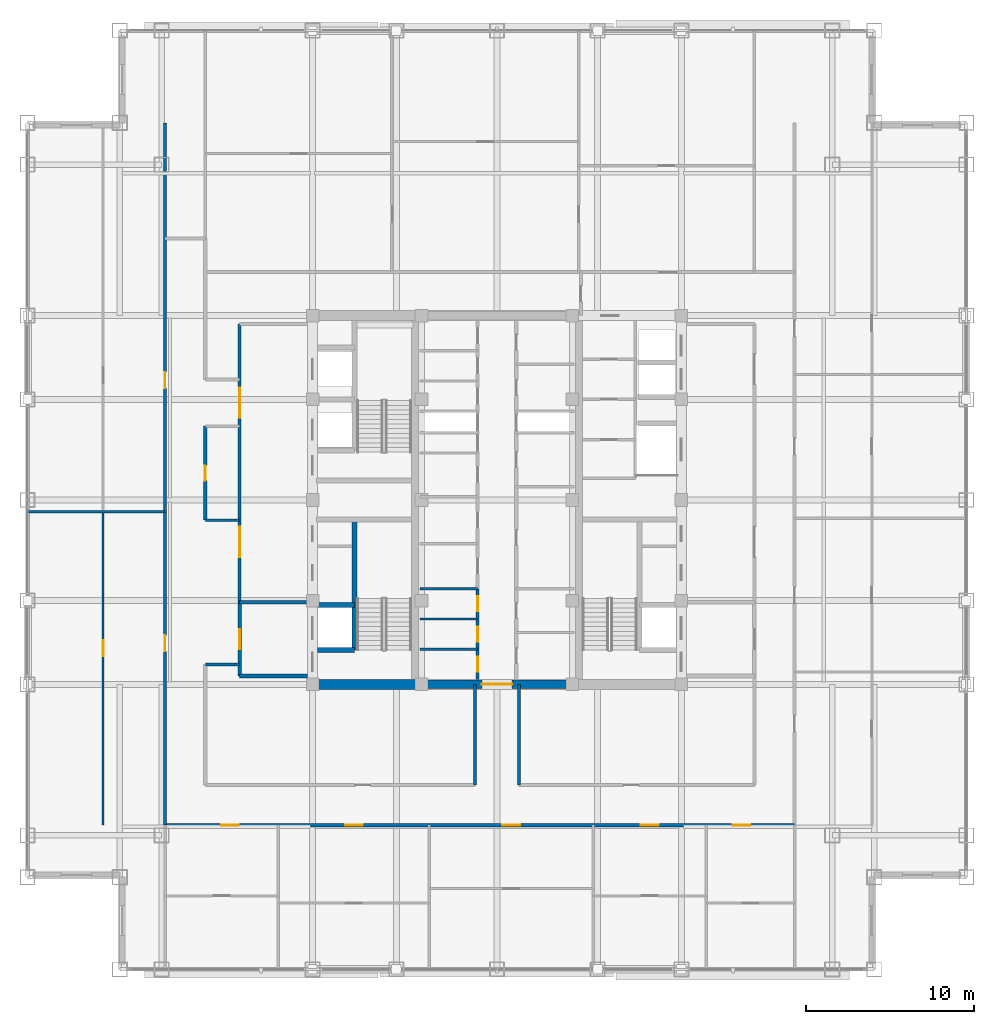
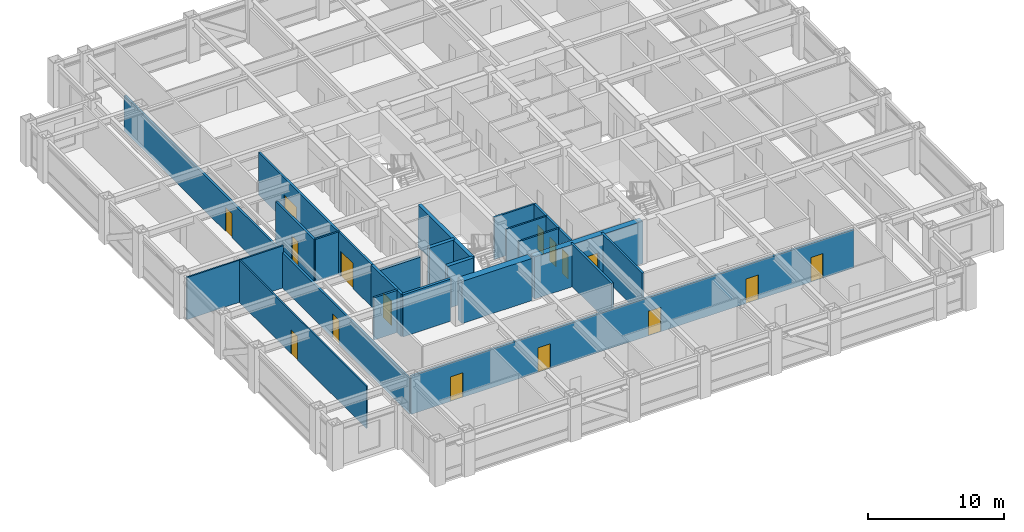
# One storey, part 18 of 27: 22 walls, 16 doors, 16 openings.
"""IFC4 building model written with IfcOpenShell, lengths in metres."""

from ifc_helpers import new_model, si_unit, direction, frame, frame_2d, origin, place, context, subcontext, project, spatial, rectangle, extrude, source, transform, mapped, material, layer, layer_set, type_object, element, fill, save


model = new_model("IFC4")

# Units and contexts
model_context = context("Model", 3, precision=1e-05, world=origin(), true_north=direction((0.0, 1.0)))
body_context = subcontext(model_context, "Body", "Model", "MODEL_VIEW")
ifc_project = project(units=[si_unit("LENGTHUNIT", "METRE"), si_unit("AREAUNIT", "SQUARE_METRE"), si_unit("VOLUMEUNIT", "CUBIC_METRE"), si_unit("PLANEANGLEUNIT", "RADIAN"), si_unit("MASSUNIT", "GRAM", prefix="KILO")], contexts=[model_context])

# Site, building, storey
site_placement = place(None, origin())
site = spatial("IfcSite", under=ifc_project, at=site_placement, CompositionType="ELEMENT")
building_placement = place(site_placement, origin())
building = spatial("IfcBuilding", under=site, at=building_placement, Name="Khorayat Bourse Tower", CompositionType="ELEMENT")
storey_placement = place(building_placement, frame((0.0, 0.0, 285.5)))
storey = spatial("IfcBuildingStorey", under=building, at=storey_placement, Name="L67", CompositionType="ELEMENT", Elevation=285.5)

# Wall
ifc_material_1 = material(Name="Concrete C60/75", Category="concrete")
ifc_layer_1 = layer(ifc_material_1, 0.60009765625)
ifc_layer_set_1 = layer_set([ifc_layer_1], Name="Concrete C60/75")
wall_type_1 = type_object("IfcWallType", Name="WAL-CORE-600", PredefinedType="SHEAR", material=ifc_layer_set_1)
shared_shape_1 = source(origin(), body_context, "Body", "SweptSolid", [
    extrude(rectangle(XDim=5.89990234375, YDim=0.60009765625, at=frame_2d((2.949951171875, 0.0))), origin(), (0.0, 0.0, 1.0), 3.780029296875),
])
wall_1_placement = place(storey_placement, frame((-10.75, -11.0, 0.0), z_axis=(0.0, 0.0, 1.0), x_axis=(1.0, 0.0, 0.0)))
element("IfcWall", 1, at=wall_1_placement, inside=storey, type_object=wall_type_1, Name="L67 Core Shear Wall PIER-WS", PredefinedType="SHEAR", context=body_context, shape_type="MappedRepresentation", body=[
    mapped(shared_shape_1, transform((0.0, 0.0, 0.0), scale=1.0)),
])

# Wall, opening, door
ifc_material_2 = material(Name="Concrete C52/65", Category="concrete")
ifc_layer_2 = layer(ifc_material_2, 0.5)
ifc_layer_set_2 = layer_set([ifc_layer_2], Name="Concrete C52/65")
wall_type_2 = type_object("IfcWallType", Name="WAL-CORE-500", PredefinedType="SHEAR", material=ifc_layer_set_2)
shared_shape_2 = source(origin(), body_context, "Body", "SweptSolid", [
    extrude(rectangle(XDim=9.2001953125, YDim=0.5, at=frame_2d((4.60009765625, 0.0))), origin(), (0.0, 0.0, 1.0), 3.780029296875),
])
wall_2_placement = place(storey_placement, frame((-4.60009765625, -11.0, 0.0), z_axis=(0.0, 0.0, 1.0), x_axis=(1.0, 0.0, 0.0)))
wall_2 = element("IfcWall", 2, at=wall_2_placement, inside=storey, type_object=wall_type_2, Name="L67 Core Shear Wall CORE-S", PredefinedType="SHEAR", context=body_context, shape_type="MappedRepresentation", body=[
    mapped(shared_shape_2, transform((0.0, 0.0, 0.0), scale=1.0)),
])
shared_shape_3 = source(origin(), body_context, "Body", "SweptSolid", [
    extrude(rectangle(XDim=1.800048828125, YDim=2.25, at=frame_2d((0.89990234375, 1.125))), frame((0.0, 0.260009765625, 0.0), z_axis=(0.0, -1.0, 0.0), x_axis=(1.0, 0.0, 0.0)), (0.0, 0.0, 1.0), 0.52001953125),
])
opening_1_placement = place(wall_2_placement, frame((3.699951171875, 0.0, 0.0)))
opening_1 = element("IfcOpeningElement", 3, at=opening_1_placement, cuts=wall_2, Name="Opening DI-03", PredefinedType="OPENING", context=body_context, shape_type="MappedRepresentation", body=[
    mapped(shared_shape_3, transform((0.0, 0.0, 0.0), scale=1.0)),
])
ifc_material_3 = material(Name="Fire-rated hardwood vision-panel double leaf", Category="wood")
door_type_1 = type_object("IfcDoorType", Name="DR-INT-CORR-1800", OperationType="NOTDEFINED", PredefinedType="DOOR", material=ifc_material_3)
shared_shape_4 = source(origin(), body_context, "Body", "SweptSolid", [
    extrude(rectangle(XDim=1.800048828125, YDim=2.25, at=frame_2d((0.89990234375, 1.125))), frame((0.0, 0.02490234375, 0.0), z_axis=(0.0, -1.0, 0.0), x_axis=(1.0, 0.0, 0.0)), (0.0, 0.0, 1.0), 0.050048828125),
])
door_1_placement = place(opening_1_placement, origin())
door_1 = element("IfcDoor", 4, at=door_1_placement, inside=storey, type_object=door_type_1, Name="L67 Central Core South Passage Door", OperationType="SINGLE_SWING_LEFT", OverallHeight=2.25, OverallWidth=1.800048828125, PredefinedType="DOOR", context=body_context, shape_type="MappedRepresentation", body=[
    mapped(shared_shape_4, transform((0.0, 0.0, 0.0), scale=1.0)),
])
fill(opening_1, door_1)

# Walls
ifc_material_4 = material(Name="Aerated concrete blockwork", Category="masonry")
ifc_layer_3 = layer(ifc_material_4, 0.219970703125)
ifc_layer_set_3 = layer_set([ifc_layer_3], Name="Aerated concrete blockwork")
wall_type_3 = type_object("IfcWallType", Name="WAL-PART-FF-220", PredefinedType="PARTITIONING", material=ifc_layer_set_3)
shared_shape_5 = source(origin(), body_context, "Body", "SweptSolid", [
    extrude(rectangle(XDim=4.050048828125, YDim=0.219970703125, at=frame_2d((2.02490234375, 0.0))), origin(), (0.0, 0.0, 1.0), 3.0849609375),
])
wall_3_placement = place(storey_placement, frame((-15.35009765625, -6.10009765625, 0.0), z_axis=(0.0, 0.0, 1.0), x_axis=(1.0, 0.0, 0.0)))
element("IfcWall", 5, at=wall_3_placement, inside=storey, type_object=wall_type_3, Name="L67 Partition WAL-L67-FFLW-N", PredefinedType="PARTITIONING", context=body_context, shape_type="MappedRepresentation", body=[
    mapped(shared_shape_5, transform((0.0, 0.0, 0.0), scale=1.0)),
])
ifc_material_5 = material(Name="Concrete C50/60", Category="concrete")
ifc_layer_4 = layer(ifc_material_5, 0.300048828125)
ifc_layer_set_4 = layer_set([ifc_layer_4], Name="Concrete C50/60")
wall_type_4 = type_object("IfcWallType", Name="WAL-SHAFT-300", PredefinedType="SHEAR", material=ifc_layer_set_4)
shared_shape_6 = source(origin(), body_context, "Body", "SweptSolid", [
    extrude(rectangle(XDim=7.800048828125, YDim=0.300048828125, at=frame_2d((3.89990234375, 0.0))), origin(), (0.0, 0.0, 1.0), 3.780029296875),
])
wall_4_placement = place(storey_placement, frame((-8.5, -8.949951171875, 0.0), z_axis=(0.0, 0.0, 1.0), x_axis=(0.0, 1.0, 0.0)))
element("IfcWall", 6, at=wall_4_placement, inside=storey, type_object=wall_type_4, Name="L67 Partition WAL-L67-WPIER-SP", PredefinedType="SHEAR", context=body_context, shape_type="MappedRepresentation", body=[
    mapped(shared_shape_6, transform((0.0, 0.0, 0.0), scale=1.0)),
])
shared_shape_7 = source(origin(), body_context, "Body", "SweptSolid", [
    extrude(rectangle(XDim=2.199951171875, YDim=0.300048828125, at=frame_2d((1.10009765625, 0.0))), origin(), (0.0, 0.0, 1.0), 3.780029296875),
])
for number, where, z_axis, x_axis, name in (
    (7, (-10.699951171875, -8.949951171875, 0.0), (0.0, 0.0, 1.0), (1.0, 0.0, 0.0), "L67 Partition WAL-L67-WPIER-FF1S"),
    (8, (-10.699951171875, -6.25, 0.0), (0.0, 0.0, 1.0), (1.0, 0.0, 0.0), "L67 Partition WAL-L67-WPIER-FF1N"),
):
    element("IfcWall", number, at=place(storey_placement, frame(where, z_axis=z_axis, x_axis=x_axis)), inside=storey, type_object=wall_type_4, Name=name, PredefinedType="SHEAR", context=body_context, shape_type="MappedRepresentation", body=[
        mapped(shared_shape_7, transform((0.0, 0.0, 0.0), scale=1.0)),
    ])
shared_shape_8 = source(origin(), body_context, "Body", "SweptSolid", [
    extrude(rectangle(XDim=4.050048828125, YDim=0.219970703125, at=frame_2d((2.02490234375, 0.0))), origin(), (0.0, 0.0, 1.0), 3.780029296875),
])
wall_5_placement = place(storey_placement, frame((-15.35009765625, -10.5, 0.0), z_axis=(0.0, 0.0, 1.0), x_axis=(1.0, 0.0, 0.0)))
element("IfcWall", 9, at=wall_5_placement, inside=storey, type_object=wall_type_3, Name="L67 Partition WAL-L67-FFLW-S", PredefinedType="PARTITIONING", context=body_context, shape_type="MappedRepresentation", body=[
    mapped(shared_shape_8, transform((0.0, 0.0, 0.0), scale=1.0)),
])

# Wall, opening, door
shared_shape_9 = source(origin(), body_context, "Body", "SweptSolid", [
    extrude(rectangle(XDim=4.39990234375, YDim=0.219970703125, at=frame_2d((2.199951171875, 0.0))), origin(), (0.0, 0.0, 1.0), 3.780029296875),
])
wall_6_placement = place(storey_placement, frame((-15.35009765625, -10.5, 0.0), z_axis=(0.0, 0.0, 1.0), x_axis=(0.0, 1.0, 0.0)))
wall_6 = element("IfcWall", 10, at=wall_6_placement, inside=storey, type_object=wall_type_3, Name="L67 Partition WAL-L67-FFLW-W", PredefinedType="PARTITIONING", context=body_context, shape_type="MappedRepresentation", body=[
    mapped(shared_shape_9, transform((0.0, 0.0, 0.0), scale=1.0)),
])
shared_shape_10 = source(origin(), body_context, "Body", "SweptSolid", [
    extrude(rectangle(XDim=1.199951171875, YDim=2.199951171875, at=frame_2d((0.60009765625, 1.10009765625))), frame((0.0, 0.119873046875, 0.0), z_axis=(0.0, -1.0, 0.0), x_axis=(1.0, 0.0, 0.0)), (0.0, 0.0, 1.0), 0.239990234375),
])
opening_2_placement = place(wall_6_placement, frame((1.60009765625, 0.0, 0.0)))
opening_2 = element("IfcOpeningElement", 11, at=opening_2_placement, cuts=wall_6, Name="Opening DI-02", PredefinedType="OPENING", context=body_context, shape_type="MappedRepresentation", body=[
    mapped(shared_shape_10, transform((0.0, 0.0, 0.0), scale=1.0)),
])
ifc_material_6 = material(Name="Fire-rated steel double-seal leaf", Category="steel")
door_type_2 = type_object("IfcDoorType", Name="DR-INT-FFLOBBY-1200", OperationType="NOTDEFINED", PredefinedType="DOOR", material=ifc_material_6)
shared_shape_11 = source(origin(), body_context, "Body", "SweptSolid", [
    extrude(rectangle(XDim=1.199951171875, YDim=2.199951171875, at=frame_2d((0.60009765625, 1.10009765625))), frame((0.0, 0.02490234375, 0.0), z_axis=(0.0, -1.0, 0.0), x_axis=(1.0, 0.0, 0.0)), (0.0, 0.0, 1.0), 0.050048828125),
])
door_2_placement = place(opening_2_placement, origin())
door_2 = element("IfcDoor", 12, at=door_2_placement, inside=storey, type_object=door_type_2, Name="L67 West Firefighting Lobby Door", OperationType="SINGLE_SWING_LEFT", OverallHeight=2.199951171875, OverallWidth=1.199951171875, PredefinedType="DOOR", context=body_context, shape_type="MappedRepresentation", body=[
    mapped(shared_shape_11, transform((0.0, 0.0, 0.0), scale=1.0)),
])
fill(opening_2, door_2)

# Wall, openings, doors
ifc_material_7 = material(Name="Gypsum plasterboard acoustic stud wall")
ifc_layer_5 = layer(ifc_material_7, 0.179931640625)
ifc_layer_set_5 = layer_set([ifc_layer_5], Name="Gypsum plasterboard acoustic stud wall")
wall_type_5 = type_object("IfcWallType", Name="WAL-PART-CORR-180", PredefinedType="PARTITIONING", material=ifc_layer_set_5)
shared_shape_12 = source(origin(), body_context, "Body", "SweptSolid", [
    extrude(rectangle(XDim=16.60009765625, YDim=0.179931640625, at=frame_2d((8.300048828125, 0.0))), origin(), (0.0, 0.0, 1.0), 3.780029296875),
])
wall_7_placement = place(storey_placement, frame((-15.35009765625, -6.10009765625, 0.0), z_axis=(0.0, 0.0, 1.0), x_axis=(0.0, 1.0, 0.0)))
wall_7 = element("IfcWall", 13, at=wall_7_placement, inside=storey, type_object=wall_type_5, Name="L67 Partition WAL-L67-WLOB-W", PredefinedType="PARTITIONING", context=body_context, shape_type="MappedRepresentation", body=[
    mapped(shared_shape_12, transform((0.0, 0.0, 0.0), scale=1.0)),
])
shared_shape_13 = source(origin(), body_context, "Body", "SweptSolid", [
    extrude(rectangle(XDim=1.800048828125, YDim=2.25, at=frame_2d((0.89990234375, 1.125))), frame((0.0, 0.099853515625, 0.0), z_axis=(0.0, -1.0, 0.0), x_axis=(1.0, 0.0, 0.0)), (0.0, 0.0, 1.0), 0.199951171875),
])
opening_3_placement = place(wall_7_placement, frame((2.699951171875, 0.0, 0.0)))
opening_3 = element("IfcOpeningElement", 14, at=opening_3_placement, cuts=wall_7, Name="Opening DI-03", PredefinedType="OPENING", context=body_context, shape_type="MappedRepresentation", body=[
    mapped(shared_shape_13, transform((0.0, 0.0, 0.0), scale=1.0)),
])
opening_4_placement = place(wall_7_placement, frame((11.0, 0.0, 0.0)))
opening_4 = element("IfcOpeningElement", 15, at=opening_4_placement, cuts=wall_7, Name="Opening DI-03", PredefinedType="OPENING", context=body_context, shape_type="MappedRepresentation", body=[
    mapped(shared_shape_13, transform((0.0, 0.0, 0.0), scale=1.0)),
])
door_3_placement = place(opening_3_placement, origin())
door_3 = element("IfcDoor", 16, at=door_3_placement, inside=storey, type_object=door_type_1, Name="L67 West Core Lobby South Door", OperationType="SINGLE_SWING_LEFT", OverallHeight=2.25, OverallWidth=1.800048828125, PredefinedType="DOOR", context=body_context, shape_type="MappedRepresentation", body=[
    mapped(shared_shape_4, transform((0.0, 0.0, 0.0), scale=1.0)),
])
fill(opening_3, door_3)
door_4_placement = place(opening_4_placement, origin())
door_4 = element("IfcDoor", 17, at=door_4_placement, inside=storey, type_object=door_type_1, Name="L67 West Core Lobby North Door", OperationType="SINGLE_SWING_RIGHT", OverallHeight=2.25, OverallWidth=1.800048828125, PredefinedType="DOOR", context=body_context, shape_type="MappedRepresentation", body=[
    mapped(shared_shape_4, transform((0.0, 0.0, 0.0), scale=1.0)),
])
fill(opening_4, door_4)

# Wall
ifc_material_8 = material(Name="Gypsum plasterboard twin-frame partition")
ifc_layer_6 = layer(ifc_material_8, 0.14990234375)
ifc_layer_set_6 = layer_set([ifc_layer_6], Name="Gypsum plasterboard twin-frame partition")
wall_type_6 = type_object("IfcWallType", Name="WAL-PART-SUITE-150", PredefinedType="PARTITIONING", material=ifc_layer_set_6)
shared_shape_14 = source(origin(), body_context, "Body", "SweptSolid", [
    extrude(rectangle(XDim=3.4501953125, YDim=0.14990234375, at=frame_2d((1.72509765625, 0.0))), origin(), (0.0, 0.0, 1.0), 3.780029296875),
])
wall_8_placement = place(storey_placement, frame((-4.60009765625, -5.300048828125, 0.0), z_axis=(0.0, 0.0, 1.0), x_axis=(1.0, 0.0, 0.0)))
element("IfcWall", 18, at=wall_8_placement, inside=storey, type_object=wall_type_6, Name="L67 Partition WAL-L67-FB1-NW", PredefinedType="PARTITIONING", context=body_context, shape_type="MappedRepresentation", body=[
    mapped(shared_shape_14, transform((0.0, 0.0, 0.0), scale=1.0)),
])

# Wall, openings, doors
shared_shape_15 = source(origin(), body_context, "Body", "SweptSolid", [
    extrude(rectangle(XDim=5.39990234375, YDim=0.179931640625, at=frame_2d((2.699951171875, 0.0))), origin(), (0.0, 0.0, 1.0), 3.780029296875),
])
wall_9_placement = place(storey_placement, frame((-1.14990234375, -10.699951171875, 0.0), z_axis=(0.0, 0.0, 1.0), x_axis=(0.0, 1.0, 0.0)))
wall_9 = element("IfcWall", 19, at=wall_9_placement, inside=storey, type_object=wall_type_5, Name="L67 Partition WAL-L67-FB1W-L", PredefinedType="PARTITIONING", context=body_context, shape_type="MappedRepresentation", body=[
    mapped(shared_shape_15, transform((0.0, 0.0, 0.0), scale=1.0)),
])
shared_shape_16 = source(origin(), body_context, "Body", "SweptSolid", [
    extrude(rectangle(XDim=0.89990234375, YDim=2.14990234375, at=frame_2d((0.449951171875, 1.074951171875))), frame((0.0, 0.099853515625, 0.0), z_axis=(0.0, -1.0, 0.0), x_axis=(1.0, 0.0, 0.0)), (0.0, 0.0, 1.0), 0.199951171875),
])
opening_5_placement = place(wall_9_placement, frame((0.449951171875, 0.0, 0.0)))
opening_5 = element("IfcOpeningElement", 20, at=opening_5_placement, cuts=wall_9, Name="Opening DI-06", PredefinedType="OPENING", context=body_context, shape_type="MappedRepresentation", body=[
    mapped(shared_shape_16, transform((0.0, 0.0, 0.0), scale=1.0)),
])
opening_6_placement = place(wall_9_placement, frame((2.25, 0.0, 0.0)))
opening_6 = element("IfcOpeningElement", 21, at=opening_6_placement, cuts=wall_9, Name="Opening DI-06", PredefinedType="OPENING", context=body_context, shape_type="MappedRepresentation", body=[
    mapped(shared_shape_16, transform((0.0, 0.0, 0.0), scale=1.0)),
])
opening_7_placement = place(wall_9_placement, frame((4.050048828125, 0.0, 0.0)))
opening_7 = element("IfcOpeningElement", 22, at=opening_7_placement, cuts=wall_9, Name="Opening DI-06", PredefinedType="OPENING", context=body_context, shape_type="MappedRepresentation", body=[
    mapped(shared_shape_16, transform((0.0, 0.0, 0.0), scale=1.0)),
])
ifc_material_9 = material(Name="Moisture-resistant laminate washroom door")
door_type_3 = type_object("IfcDoorType", Name="DR-INT-WC-900", OperationType="NOTDEFINED", PredefinedType="DOOR", material=ifc_material_9)
shared_shape_17 = source(origin(), body_context, "Body", "SweptSolid", [
    extrude(rectangle(XDim=0.89990234375, YDim=2.14990234375, at=frame_2d((0.449951171875, 1.074951171875))), frame((0.0, 0.02490234375, 0.0), z_axis=(0.0, -1.0, 0.0), x_axis=(1.0, 0.0, 0.0)), (0.0, 0.0, 1.0), 0.050048828125),
])
door_5_placement = place(opening_5_placement, origin())
door_5 = element("IfcDoor", 23, at=door_5_placement, inside=storey, type_object=door_type_3, Name="L67 Archive Store A Door", OperationType="SINGLE_SWING_RIGHT", OverallHeight=2.14990234375, OverallWidth=0.89990234375, PredefinedType="DOOR", context=body_context, shape_type="MappedRepresentation", body=[
    mapped(shared_shape_17, transform((0.0, 0.0, 0.0), scale=1.0)),
])
fill(opening_5, door_5)
door_6_placement = place(opening_6_placement, origin())
door_6 = element("IfcDoor", 24, at=door_6_placement, inside=storey, type_object=door_type_3, Name="L67 Patch Comms Room Door", OperationType="SINGLE_SWING_LEFT", OverallHeight=2.14990234375, OverallWidth=0.89990234375, PredefinedType="DOOR", context=body_context, shape_type="MappedRepresentation", body=[
    mapped(shared_shape_17, transform((0.0, 0.0, 0.0), scale=1.0)),
])
fill(opening_6, door_6)
door_7_placement = place(opening_7_placement, origin())
door_7 = element("IfcDoor", 25, at=door_7_placement, inside=storey, type_object=door_type_3, Name="L67 Archive Store B Door", OperationType="SINGLE_SWING_RIGHT", OverallHeight=2.14990234375, OverallWidth=0.89990234375, PredefinedType="DOOR", context=body_context, shape_type="MappedRepresentation", body=[
    mapped(shared_shape_17, transform((0.0, 0.0, 0.0), scale=1.0)),
])
fill(opening_7, door_7)

# Walls
ifc_material_10 = material(Name="Moisture-resistant masonry partition", Category="masonry")
ifc_layer_7 = layer(ifc_material_10, 0.139892578125)
ifc_layer_set_7 = layer_set([ifc_layer_7], Name="Moisture-resistant masonry partition")
wall_type_7 = type_object("IfcWallType", Name="WAL-PART-WET-140", PredefinedType="PARTITIONING", material=ifc_layer_set_7)
shared_shape_18 = source(origin(), body_context, "Body", "SweptSolid", [
    extrude(rectangle(XDim=3.4501953125, YDim=0.139892578125, at=frame_2d((1.72509765625, 0.0))), origin(), (0.0, 0.0, 1.0), 3.780029296875),
])
for number, where, z_axis, x_axis, name in (
    (26, (-4.60009765625, -8.89990234375, 0.0), (0.0, 0.0, 1.0), (1.0, 0.0, 0.0), "L67 Partition WAL-L67-FB1W-D1"),
    (27, (-4.60009765625, -7.10009765625, 0.0), (0.0, 0.0, 1.0), (1.0, 0.0, 0.0), "L67 Partition WAL-L67-FB1W-D2"),
):
    element("IfcWall", number, at=place(storey_placement, frame(where, z_axis=z_axis, x_axis=x_axis)), inside=storey, type_object=wall_type_7, Name=name, PredefinedType="PARTITIONING", context=body_context, shape_type="MappedRepresentation", body=[
        mapped(shared_shape_18, transform((0.0, 0.0, 0.0), scale=1.0)),
    ])

# Wall, opening, door
shared_shape_19 = source(origin(), body_context, "Body", "SweptSolid", [
    extrude(rectangle(XDim=5.599853515625, YDim=0.179931640625, at=frame_2d((2.7998046875, 0.0))), origin(), (0.0, 0.0, 1.0), 3.780029296875),
])
wall_10_placement = place(storey_placement, frame((-17.39990234375, -1.199951171875, 0.0), z_axis=(0.0, 0.0, 1.0), x_axis=(0.0, 1.0, 0.0)))
wall_10 = element("IfcWall", 28, at=wall_10_placement, inside=storey, type_object=wall_type_5, Name="L67 Partition WAL-L67-PKWM-W", PredefinedType="PARTITIONING", context=body_context, shape_type="MappedRepresentation", body=[
    mapped(shared_shape_19, transform((0.0, 0.0, 0.0), scale=1.0)),
])
opening_8_placement = place(wall_10_placement, frame((2.35009765625, 0.0, 0.0)))
opening_8 = element("IfcOpeningElement", 29, at=opening_8_placement, cuts=wall_10, Name="Opening DI-06", PredefinedType="OPENING", context=body_context, shape_type="MappedRepresentation", body=[
    mapped(shared_shape_16, transform((0.0, 0.0, 0.0), scale=1.0)),
])
door_8_placement = place(opening_8_placement, origin())
door_8 = element("IfcDoor", 30, at=door_8_placement, inside=storey, type_object=door_type_3, Name="L67 West Inboard Focus Door", OperationType="SINGLE_SWING_LEFT", OverallHeight=2.14990234375, OverallWidth=0.89990234375, PredefinedType="DOOR", context=body_context, shape_type="MappedRepresentation", body=[
    mapped(shared_shape_17, transform((0.0, 0.0, 0.0), scale=1.0)),
])
fill(opening_8, door_8)

# Walls
shared_shape_20 = source(origin(), body_context, "Body", "SweptSolid", [
    extrude(rectangle(XDim=2.0498046875, YDim=0.14990234375, at=frame_2d((1.02490234375, 0.0))), origin(), (0.0, 0.0, 1.0), 3.780029296875),
])
wall_11_placement = place(storey_placement, frame((-17.39990234375, -1.199951171875, 0.0), z_axis=(0.0, 0.0, 1.0), x_axis=(1.0, 0.0, 0.0)))
element("IfcWall", 31, at=wall_11_placement, inside=storey, type_object=wall_type_6, Name="L67 Partition WAL-L67-PKWM-S", PredefinedType="PARTITIONING", context=body_context, shape_type="MappedRepresentation", body=[
    mapped(shared_shape_20, transform((0.0, 0.0, 0.0), scale=1.0)),
])
shared_shape_21 = source(origin(), body_context, "Body", "SweptSolid", [
    extrude(rectangle(XDim=2.0498046875, YDim=0.179931640625, at=frame_2d((1.02490234375, 0.0))), origin(), (0.0, 0.0, 1.0), 3.780029296875),
])
wall_12_placement = place(storey_placement, frame((-17.39990234375, -9.800048828125, 0.0), z_axis=(0.0, 0.0, 1.0), x_axis=(1.0, 0.0, 0.0)))
element("IfcWall", 32, at=wall_12_placement, inside=storey, type_object=wall_type_5, Name="L67 Partition WAL-L67-THRW-S", PredefinedType="PARTITIONING", context=body_context, shape_type="MappedRepresentation", body=[
    mapped(shared_shape_21, transform((0.0, 0.0, 0.0), scale=1.0)),
])
ifc_material_11 = material(Name="Gypsum plasterboard partition")
ifc_layer_8 = layer(ifc_material_11, 0.125)
ifc_layer_set_8 = layer_set([ifc_layer_8], Name="Gypsum plasterboard partition")
wall_type_8 = type_object("IfcWallType", Name="WAL-PART-ROOM-125", PredefinedType="PARTITIONING", material=ifc_layer_set_8)
shared_shape_22 = source(origin(), body_context, "Body", "SweptSolid", [
    extrude(rectangle(XDim=8.199951171875, YDim=0.125, at=frame_2d((4.10009765625, 0.0))), origin(), (0.0, 0.0, 1.0), 3.780029296875),
])
wall_13_placement = place(storey_placement, frame((-28.0, -0.699951171875, 0.0), z_axis=(0.0, 0.0, 1.0), x_axis=(1.0, 0.0, 0.0)))
element("IfcWall", 33, at=wall_13_placement, inside=storey, type_object=wall_type_8, Name="L67 Partition WAL-L67-WDV-1", PredefinedType="PARTITIONING", context=body_context, shape_type="MappedRepresentation", body=[
    mapped(shared_shape_22, transform((0.0, 0.0, 0.0), scale=1.0)),
])
shared_shape_23 = source(origin(), body_context, "Body", "SweptSolid", [
    extrude(rectangle(XDim=6.0, YDim=0.179931640625, at=frame_2d((3.0, 0.0))), origin(), (0.0, 0.0, 1.0), 3.780029296875),
])
for number, where, z_axis, x_axis, name in (
    (34, (-1.300048828125, -17.0, 0.0), (0.0, 0.0, 1.0), (0.0, 1.0, 0.0), "L67 Partition WAL-L67-PKSW-E"),
    (35, (1.300048828125, -17.0, 0.0), (0.0, 0.0, 1.0), (0.0, 1.0, 0.0), "L67 Partition WAL-L67-PKSE-W"),
):
    element("IfcWall", number, at=place(storey_placement, frame(where, z_axis=z_axis, x_axis=x_axis)), inside=storey, type_object=wall_type_5, Name=name, PredefinedType="PARTITIONING", context=body_context, shape_type="MappedRepresentation", body=[
        mapped(shared_shape_23, transform((0.0, 0.0, 0.0), scale=1.0)),
    ])

# Wall, openings, doors
shared_shape_24 = source(origin(), body_context, "Body", "SweptSolid", [
    extrude(rectangle(XDim=37.550048828125, YDim=0.179931640625, at=frame_2d((18.77490234375, 0.0))), origin(), (0.0, 0.0, 1.0), 3.43310546875),
])
wall_14_placement = place(storey_placement, frame((-19.800048828125, -19.39990234375, 0.0), z_axis=(0.0, 0.0, 1.0), x_axis=(1.0, 0.0, 0.0)))
wall_14 = element("IfcWall", 36, at=wall_14_placement, inside=storey, type_object=wall_type_5, Name="L67 Partition WAL-L67-SCORR", PredefinedType="PARTITIONING", context=body_context, shape_type="MappedRepresentation", body=[
    mapped(shared_shape_24, transform((0.0, 0.0, 0.0), scale=1.0)),
])
shared_shape_25 = source(origin(), body_context, "Body", "SweptSolid", [
    extrude(rectangle(XDim=1.050048828125, YDim=2.199951171875, at=frame_2d((0.52490234375, 1.10009765625))), frame((0.0, 0.099853515625, 0.0), z_axis=(0.0, -1.0, 0.0), x_axis=(1.0, 0.0, 0.0)), (0.0, 0.0, 1.0), 0.199951171875),
])
opening_9_placement = place(wall_14_placement, frame((3.3544921875, 0.0, 0.0)))
opening_9 = element("IfcOpeningElement", 37, at=opening_9_placement, cuts=wall_14, Name="Opening DI-04", PredefinedType="OPENING", context=body_context, shape_type="MappedRepresentation", body=[
    mapped(shared_shape_25, transform((0.0, 0.0, 0.0), scale=1.0)),
])
opening_10_placement = place(wall_14_placement, frame((10.739990234375, 0.0, 0.0)))
opening_10 = element("IfcOpeningElement", 38, at=opening_10_placement, cuts=wall_14, Name="Opening DI-04", PredefinedType="OPENING", context=body_context, shape_type="MappedRepresentation", body=[
    mapped(shared_shape_25, transform((0.0, 0.0, 0.0), scale=1.0)),
])
opening_11_placement = place(wall_14_placement, frame((20.12744140625, 0.0, 0.0)))
opening_11 = element("IfcOpeningElement", 39, at=opening_11_placement, cuts=wall_14, Name="Opening DI-04", PredefinedType="OPENING", context=body_context, shape_type="MappedRepresentation", body=[
    mapped(shared_shape_25, transform((0.0, 0.0, 0.0), scale=1.0)),
])
opening_12_placement = place(wall_14_placement, frame((28.388427734375, 0.0, 0.0)))
opening_12 = element("IfcOpeningElement", 40, at=opening_12_placement, cuts=wall_14, Name="Opening DI-04", PredefinedType="OPENING", context=body_context, shape_type="MappedRepresentation", body=[
    mapped(shared_shape_25, transform((0.0, 0.0, 0.0), scale=1.0)),
])
opening_13_placement = place(wall_14_placement, frame((33.87158203125, 0.0, 0.0)))
opening_13 = element("IfcOpeningElement", 41, at=opening_13_placement, cuts=wall_14, Name="Opening DI-04", PredefinedType="OPENING", context=body_context, shape_type="MappedRepresentation", body=[
    mapped(shared_shape_25, transform((0.0, 0.0, 0.0), scale=1.0)),
])
ifc_material_12 = material(Name="Fire-rated oak veneer suite entrance door")
door_type_4 = type_object("IfcDoorType", Name="DR-INT-SUITE-1050", OperationType="NOTDEFINED", PredefinedType="DOOR", material=ifc_material_12)
shared_shape_26 = source(origin(), body_context, "Body", "SweptSolid", [
    extrude(rectangle(XDim=1.050048828125, YDim=2.199951171875, at=frame_2d((0.52490234375, 1.10009765625))), frame((0.0, 0.02490234375, 0.0), z_axis=(0.0, -1.0, 0.0), x_axis=(1.0, 0.0, 0.0)), (0.0, 0.0, 1.0), 0.050048828125),
])
door_9_placement = place(opening_9_placement, origin())
door_9 = element("IfcDoor", 42, at=door_9_placement, inside=storey, type_object=door_type_4, Name="L67 Equities Trading Desk S1 Door", OperationType="SINGLE_SWING_RIGHT", OverallHeight=2.199951171875, OverallWidth=1.050048828125, PredefinedType="DOOR", context=body_context, shape_type="MappedRepresentation", body=[
    mapped(shared_shape_26, transform((0.0, 0.0, 0.0), scale=1.0)),
])
fill(opening_9, door_9)
door_10_placement = place(opening_10_placement, origin())
door_10 = element("IfcDoor", 43, at=door_10_placement, inside=storey, type_object=door_type_4, Name="L67 Market Risk Analytics Workspace S2 Door", OperationType="SINGLE_SWING_LEFT", OverallHeight=2.199951171875, OverallWidth=1.050048828125, PredefinedType="DOOR", context=body_context, shape_type="MappedRepresentation", body=[
    mapped(shared_shape_26, transform((0.0, 0.0, 0.0), scale=1.0)),
])
fill(opening_10, door_10)
door_11_placement = place(opening_11_placement, origin())
door_11 = element("IfcDoor", 44, at=door_11_placement, inside=storey, type_object=door_type_4, Name="L67 Issuer Listing Showroom S3 Door", OperationType="SINGLE_SWING_RIGHT", OverallHeight=2.199951171875, OverallWidth=1.050048828125, PredefinedType="DOOR", context=body_context, shape_type="MappedRepresentation", body=[
    mapped(shared_shape_26, transform((0.0, 0.0, 0.0), scale=1.0)),
])
fill(opening_11, door_11)
door_12_placement = place(opening_12_placement, origin())
door_12 = element("IfcDoor", 45, at=door_12_placement, inside=storey, type_object=door_type_4, Name="L67 Market Reference Library S4 Door", OperationType="SINGLE_SWING_LEFT", OverallHeight=2.199951171875, OverallWidth=1.050048828125, PredefinedType="DOOR", context=body_context, shape_type="MappedRepresentation", body=[
    mapped(shared_shape_26, transform((0.0, 0.0, 0.0), scale=1.0)),
])
fill(opening_12, door_12)
door_13_placement = place(opening_13_placement, origin())
door_13 = element("IfcDoor", 46, at=door_13_placement, inside=storey, type_object=door_type_4, Name="L67 Clearing Operations Office S5 Door", OperationType="SINGLE_SWING_RIGHT", OverallHeight=2.199951171875, OverallWidth=1.050048828125, PredefinedType="DOOR", context=body_context, shape_type="MappedRepresentation", body=[
    mapped(shared_shape_26, transform((0.0, 0.0, 0.0), scale=1.0)),
])
fill(opening_13, door_13)

# Wall, opening, door
shared_shape_27 = source(origin(), body_context, "Body", "SweptSolid", [
    extrude(rectangle(XDim=18.699951171875, YDim=0.125, at=frame_2d((9.35009765625, 0.0))), origin(), (0.0, 0.0, 1.0), 3.780029296875),
])
wall_15_placement = place(storey_placement, frame((-23.489990234375, -19.39990234375, 0.0), z_axis=(0.0, 0.0, 1.0), x_axis=(0.0, 1.0, 0.0)))
wall_15 = element("IfcWall", 47, at=wall_15_placement, inside=storey, type_object=wall_type_8, Name="L67 Partition WAL-L67-WDP-1", PredefinedType="PARTITIONING", context=body_context, shape_type="MappedRepresentation", body=[
    mapped(shared_shape_27, transform((0.0, 0.0, 0.0), scale=1.0)),
])
shared_shape_28 = source(origin(), body_context, "Body", "SweptSolid", [
    extrude(rectangle(XDim=0.949951171875, YDim=2.14990234375, at=frame_2d((0.47509765625, 1.074951171875))), frame((0.0, 0.072509765625, 0.0), z_axis=(0.0, -1.0, 0.0), x_axis=(1.0, 0.0, 0.0)), (0.0, 0.0, 1.0), 0.14501953125),
])
opening_14_placement = place(wall_15_placement, frame((10.074951171875, 0.0, 0.0)))
opening_14 = element("IfcOpeningElement", 48, at=opening_14_placement, cuts=wall_15, Name="Opening DI-05", PredefinedType="OPENING", context=body_context, shape_type="MappedRepresentation", body=[
    mapped(shared_shape_28, transform((0.0, 0.0, 0.0), scale=1.0)),
])
ifc_material_13 = material(Name="Acoustic oak veneer office door")
door_type_5 = type_object("IfcDoorType", Name="DR-INT-OFFICE-950", OperationType="NOTDEFINED", PredefinedType="DOOR", material=ifc_material_13)
shared_shape_29 = source(origin(), body_context, "Body", "SweptSolid", [
    extrude(rectangle(XDim=0.949951171875, YDim=2.14990234375, at=frame_2d((0.47509765625, 1.074951171875))), frame((0.0, 0.02490234375, 0.0), z_axis=(0.0, -1.0, 0.0), x_axis=(1.0, 0.0, 0.0)), (0.0, 0.0, 1.0), 0.050048828125),
])
door_14_placement = place(opening_14_placement, origin())
door_14 = element("IfcDoor", 49, at=door_14_placement, inside=storey, type_object=door_type_5, Name="L67 Issuer Listing Showroom W1B Door", OperationType="SINGLE_SWING_RIGHT", OverallHeight=2.14990234375, OverallWidth=0.949951171875, PredefinedType="DOOR", context=body_context, shape_type="MappedRepresentation", body=[
    mapped(shared_shape_29, transform((0.0, 0.0, 0.0), scale=1.0)),
])
fill(opening_14, door_14)

# Wall, openings, doors
shared_shape_30 = source(origin(), body_context, "Body", "SweptSolid", [
    extrude(rectangle(XDim=41.89990234375, YDim=0.179931640625, at=frame_2d((20.949951171875, 0.0))), origin(), (0.0, 0.0, 1.0), 3.1640625),
])
wall_16_placement = place(storey_placement, frame((-19.800048828125, -19.39990234375, 0.0), z_axis=(0.0, 0.0, 1.0), x_axis=(0.0, 1.0, 0.0)))
wall_16 = element("IfcWall", 50, at=wall_16_placement, inside=storey, type_object=wall_type_5, Name="L67 Partition WAL-L67-WCORR", PredefinedType="PARTITIONING", context=body_context, shape_type="MappedRepresentation", body=[
    mapped(shared_shape_30, transform((0.0, 0.0, 0.0), scale=1.0)),
])
shared_shape_31 = source(origin(), body_context, "Body", "SweptSolid", [
    extrude(rectangle(XDim=0.949951171875, YDim=2.14990234375, at=frame_2d((0.47509765625, 1.074951171875))), frame((0.0, 0.099853515625, 0.0), z_axis=(0.0, -1.0, 0.0), x_axis=(1.0, 0.0, 0.0)), (0.0, 0.0, 1.0), 0.199951171875),
])
opening_15_placement = place(wall_16_placement, frame((10.375, 0.0, 0.0)))
opening_15 = element("IfcOpeningElement", 51, at=opening_15_placement, cuts=wall_16, Name="Opening DI-05", PredefinedType="OPENING", context=body_context, shape_type="MappedRepresentation", body=[
    mapped(shared_shape_31, transform((0.0, 0.0, 0.0), scale=1.0)),
])
opening_16_placement = place(wall_16_placement, frame((26.074951171875, 0.0, 0.0)))
opening_16 = element("IfcOpeningElement", 52, at=opening_16_placement, cuts=wall_16, Name="Opening DI-05", PredefinedType="OPENING", context=body_context, shape_type="MappedRepresentation", body=[
    mapped(shared_shape_31, transform((0.0, 0.0, 0.0), scale=1.0)),
])
door_15_placement = place(opening_15_placement, origin())
door_15 = element("IfcDoor", 53, at=door_15_placement, inside=storey, type_object=door_type_5, Name="L67 Equities Trading Desk W1 Door", OperationType="SINGLE_SWING_RIGHT", OverallHeight=2.14990234375, OverallWidth=0.949951171875, PredefinedType="DOOR", context=body_context, shape_type="MappedRepresentation", body=[
    mapped(shared_shape_29, transform((0.0, 0.0, 0.0), scale=1.0)),
])
fill(opening_15, door_15)
door_16_placement = place(opening_16_placement, origin())
door_16 = element("IfcDoor", 54, at=door_16_placement, inside=storey, type_object=door_type_5, Name="L67 Brokerage Member Kiosk W2 Door", OperationType="SINGLE_SWING_LEFT", OverallHeight=2.14990234375, OverallWidth=0.949951171875, PredefinedType="DOOR", context=body_context, shape_type="MappedRepresentation", body=[
    mapped(shared_shape_29, transform((0.0, 0.0, 0.0), scale=1.0)),
])
fill(opening_16, door_16)

save(model, "model.ifc")
